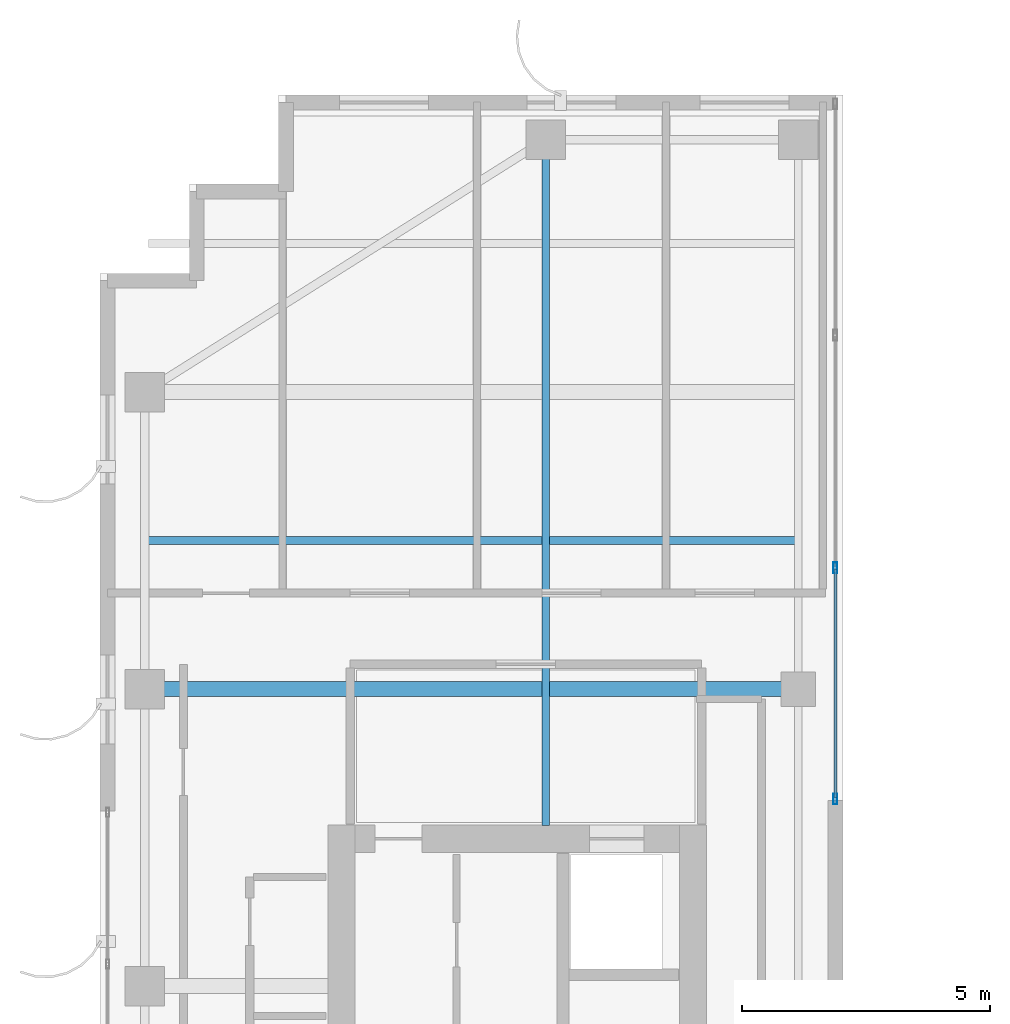
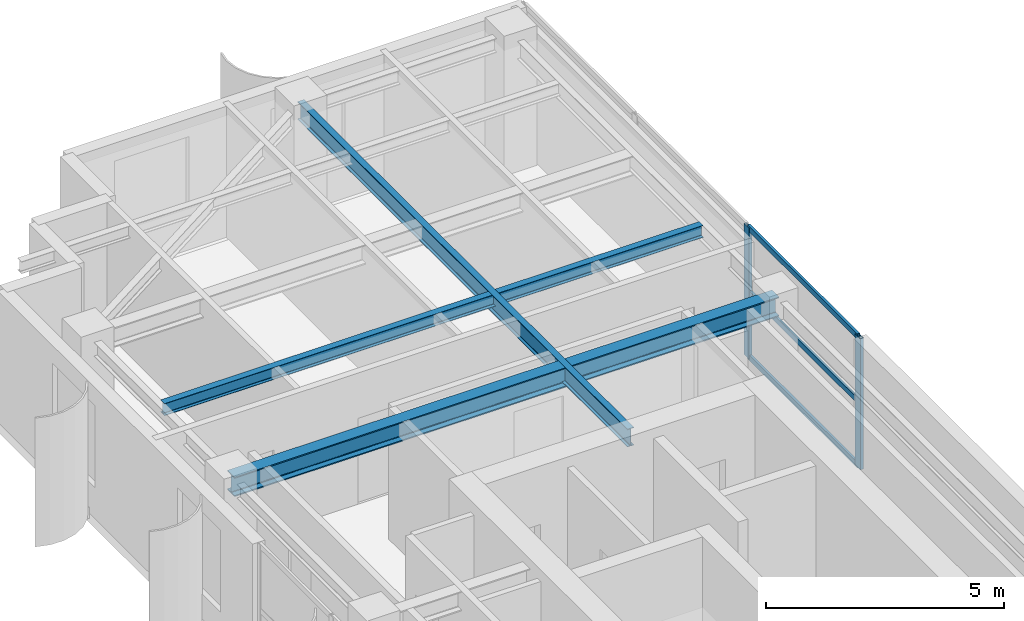
# One storey, part 9 of 24: 5 members, 3 beams, 1 element without a shape of its own.
"""IFC4 building model written with IfcOpenShell, lengths in metres."""

from ifc_helpers import new_model, si_unit, direction, frame, origin, origin_2d, place, context, subcontext, project, spatial, hollow_rectangle, i_section, extrude, source, transform, mapped, material, layer, layer_set, material_profile, profile_set, type_object, element, aggregate, save


model = new_model("IFC4")

# Units and contexts
model_context = context("Model", 3, precision=1e-05, world=origin(), true_north=direction((0.0, 1.0)))
body_context = subcontext(model_context, "Body", "Model", "MODEL_VIEW")
ifc_project = project(units=[si_unit("LENGTHUNIT", "METRE"), si_unit("AREAUNIT", "SQUARE_METRE"), si_unit("VOLUMEUNIT", "CUBIC_METRE"), si_unit("PLANEANGLEUNIT", "RADIAN"), si_unit("MASSUNIT", "GRAM", prefix="KILO")], contexts=[model_context])

# Site, building, storey
site_placement = place(None, origin())
site = spatial("IfcSite", under=ifc_project, at=site_placement, CompositionType="ELEMENT")
building_placement = place(site_placement, origin())
building = spatial("IfcBuilding", under=site, at=building_placement, Name="Khoralis Quay Care Tower", CompositionType="ELEMENT")
storey_placement = place(building_placement, frame((0.0, 0.0, 238.5)))
storey = spatial("IfcBuildingStorey", under=building, at=storey_placement, Name="L62", CompositionType="ELEMENT", Elevation=238.5)

# Beams
ifc_material_1 = material(Name="Steel S355", Category="steel")
ifc_material_profile_1 = material_profile(ifc_material_1, i_section(OverallWidth=0.300048828125, OverallDepth=0.5, WebThickness=0.014404296875, FlangeThickness=0.028076171875, FilletRadius=0.027099609375, at=origin_2d()), Name="Steel S355")
ifc_profile_set_1 = profile_set([ifc_material_profile_1], Name="Steel S355")
beam_type_1 = type_object("IfcBeamType", Name="BM-HEB500", PredefinedType="BEAM", material=ifc_profile_set_1)
shared_shape_1 = source(origin(), body_context, "Body", "SweptSolid", [
    extrude(i_section(OverallWidth=0.300048828125, OverallDepth=0.5, WebThickness=0.014404296875, FlangeThickness=0.028076171875, FilletRadius=0.027099609375, at=origin_2d()), origin(), (0.0, 0.0, 1.0), 13.2001953125),
])
beam_1_placement = place(storey_placement, frame((3.89990234375, 30.0, 3.110107421875), z_axis=(1.0, 0.0, 0.0), x_axis=(0.0, 1.0, 0.0)))
element("IfcBeam", 1, at=beam_1_placement, inside=storey, type_object=beam_type_1, Name="BM-TGXW-L62-300", PredefinedType="BEAM", context=body_context, shape_type="MappedRepresentation", body=[
    mapped(shared_shape_1, transform((0.0, 0.0, 0.0), scale=1.0)),
])
ifc_material_profile_2 = material_profile(ifc_material_1, i_section(OverallWidth=0.1650390625, OverallDepth=0.31005859375, WebThickness=0.005859375, FlangeThickness=0.009765625, FilletRadius=0.011962890625, at=origin_2d()), Name="Steel S355")
ifc_profile_set_2 = profile_set([ifc_material_profile_2], Name="Steel S355")
beam_type_2 = type_object("IfcBeamType", Name="BM-W310X39", PredefinedType="JOIST", material=ifc_profile_set_2)
shared_shape_2 = source(origin(), body_context, "Body", "SweptSolid", [
    extrude(i_section(OverallWidth=0.1650390625, OverallDepth=0.31005859375, WebThickness=0.005859375, FlangeThickness=0.009765625, FilletRadius=0.011962890625, at=origin_2d()), origin(), (0.0, 0.0, 1.0), 13.06396484375),
])
beam_2_placement = place(storey_placement, frame((3.970947265625, 33.0, 3.205078125), z_axis=(1.0, 0.0, 0.0), x_axis=(0.0, 1.0, 0.0)))
element("IfcBeam", 2, at=beam_2_placement, inside=storey, type_object=beam_type_2, Name="BM-TJS-L62-19", PredefinedType="JOIST", context=body_context, shape_type="MappedRepresentation", body=[
    mapped(shared_shape_2, transform((0.0, 0.0, 0.0), scale=1.0)),
])
ifc_material_profile_3 = material_profile(ifc_material_1, i_section(OverallWidth=0.154052734375, OverallDepth=0.458984375, WebThickness=0.009033203125, FlangeThickness=0.015380859375, FilletRadius=0.014892578125, at=origin_2d()), Name="Steel S355")
ifc_profile_set_3 = profile_set([ifc_material_profile_3], Name="Steel S355")
beam_type_3 = type_object("IfcBeamType", Name="BM-W460X68", PredefinedType="BEAM", material=ifc_profile_set_3)
shared_shape_3 = source(origin(), body_context, "Body", "SweptSolid", [
    extrude(i_section(OverallWidth=0.154052734375, OverallDepth=0.458984375, WebThickness=0.009033203125, FlangeThickness=0.015380859375, FilletRadius=0.014892578125, at=origin_2d()), origin(), (0.0, 0.0, 1.0), 13.85205078125),
])
beam_3_placement = place(storey_placement, frame((12.0, 27.248046875, 3.130615234375), z_axis=(0.0, 1.0, 0.0), x_axis=(-1.0, 0.0, 0.0)))
element("IfcBeam", 3, at=beam_3_placement, inside=storey, type_object=beam_type_3, Name="BM-TGYN-L62-120", PredefinedType="BEAM", context=body_context, shape_type="MappedRepresentation", body=[
    mapped(shared_shape_3, transform((0.0, 0.0, 0.0), scale=1.0)),
])

# Curtain wall, members
ifc_material_2 = material(Name="Pale anodised aluminium", Category="aluminium")
ifc_layer = layer(ifc_material_2, 0.18994140625)
ifc_layer_set = layer_set([ifc_layer], Name="Pale anodised aluminium")
curtain_wall_type = type_object("IfcCurtainWallType", Name="CW-SYS-PORTAL", PredefinedType="NOTDEFINED", material=ifc_layer_set)
curtain_wall_placement = place(storey_placement, origin())
curtain_wall = element("IfcCurtainWall", 4, at=curtain_wall_placement, inside=storey, type_object=curtain_wall_type, Name="L62 Unitised Curtain Wall CW-VP-L62-P1-N", PredefinedType="NOTDEFINED")
ifc_material_profile_4 = material_profile(ifc_material_2, hollow_rectangle(XDim=0.06005859375, YDim=0.139892578125, WallThickness=0.00390625, at=origin_2d()), Name="Pale anodised aluminium")
ifc_profile_set_4 = profile_set([ifc_material_profile_4], Name="Pale anodised aluminium")
member_type_1 = type_object("IfcMemberType", Name="CW-TRN-140", PredefinedType="USERDEFINED", material=ifc_profile_set_4)
shared_shape_4 = source(origin(), body_context, "Body", "SweptSolid", [
    extrude(hollow_rectangle(XDim=0.06005859375, YDim=0.139892578125, WallThickness=0.00390625, at=origin_2d()), origin(), (0.0, 0.0, 1.0), 4.60986328125),
])
member_1_placement = place(storey_placement, frame((17.85009765625, 27.81005859375, 0.030029296875), z_axis=(0.0, 1.0, 0.0), x_axis=(-1.0, 0.0, 0.0)))
member_1 = element("IfcMember", 5, at=member_1_placement, type_object=member_type_1, Name="CW4 transom 1.1", ObjectType="TRANSOM", PredefinedType="USERDEFINED", context=body_context, shape_type="MappedRepresentation", body=[
    mapped(shared_shape_4, transform((0.0, 0.0, 0.0), scale=1.0)),
])
member_2_placement = place(storey_placement, frame((17.85009765625, 27.81005859375, 1.679931640625), z_axis=(0.0, 1.0, 0.0), x_axis=(-1.0, 0.0, 0.0)))
member_2 = element("IfcMember", 6, at=member_2_placement, type_object=member_type_1, Name="CW4 transom 1.2", ObjectType="TRANSOM", PredefinedType="USERDEFINED", context=body_context, shape_type="MappedRepresentation", body=[
    mapped(shared_shape_4, transform((0.0, 0.0, 0.0), scale=1.0)),
])
member_3_placement = place(storey_placement, frame((17.85009765625, 27.81005859375, 3.330078125), z_axis=(0.0, 1.0, 0.0), x_axis=(-1.0, 0.0, 0.0)))
member_3 = element("IfcMember", 7, at=member_3_placement, type_object=member_type_1, Name="CW4 transom 1.3", ObjectType="TRANSOM", PredefinedType="USERDEFINED", context=body_context, shape_type="MappedRepresentation", body=[
    mapped(shared_shape_4, transform((0.0, 0.0, 0.0), scale=1.0)),
])
ifc_material_profile_5 = material_profile(ifc_material_2, hollow_rectangle(XDim=0.074951171875, YDim=0.219970703125, WallThickness=0.00390625, at=origin_2d()), Name="Pale anodised aluminium")
ifc_profile_set_5 = profile_set([ifc_material_profile_5], Name="Pale anodised aluminium")
member_type_2 = type_object("IfcMemberType", Name="CW-MUL-220", PredefinedType="MULLION", material=ifc_profile_set_5)
shared_shape_5 = source(origin(), body_context, "Body", "SweptSolid", [
    extrude(hollow_rectangle(XDim=0.074951171875, YDim=0.219970703125, WallThickness=0.00390625, at=origin_2d()), origin(), (0.0, 0.0, 1.0), 3.360107421875),
])
member_4_placement = place(storey_placement, frame((17.85009765625, 27.780029296875, 0.0), z_axis=(0.0, 0.0, 1.0), x_axis=(-1.0, 0.0, 0.0)))
member_4 = element("IfcMember", 8, at=member_4_placement, type_object=member_type_2, Name="CW4 mullion 1", PredefinedType="MULLION", context=body_context, shape_type="MappedRepresentation", body=[
    mapped(shared_shape_5, transform((0.0, 0.0, 0.0), scale=1.0)),
])
member_5_placement = place(storey_placement, frame((17.85009765625, 32.449951171875, 0.0), z_axis=(0.0, 0.0, 1.0), x_axis=(-1.0, 0.0, 0.0)))
member_5 = element("IfcMember", 9, at=member_5_placement, type_object=member_type_2, Name="CW4 mullion 2", PredefinedType="MULLION", context=body_context, shape_type="MappedRepresentation", body=[
    mapped(shared_shape_5, transform((0.0, 0.0, 0.0), scale=1.0)),
])
aggregate(curtain_wall, [member_4, member_5, member_1, member_2, member_3])

save(model, "model.ifc")
